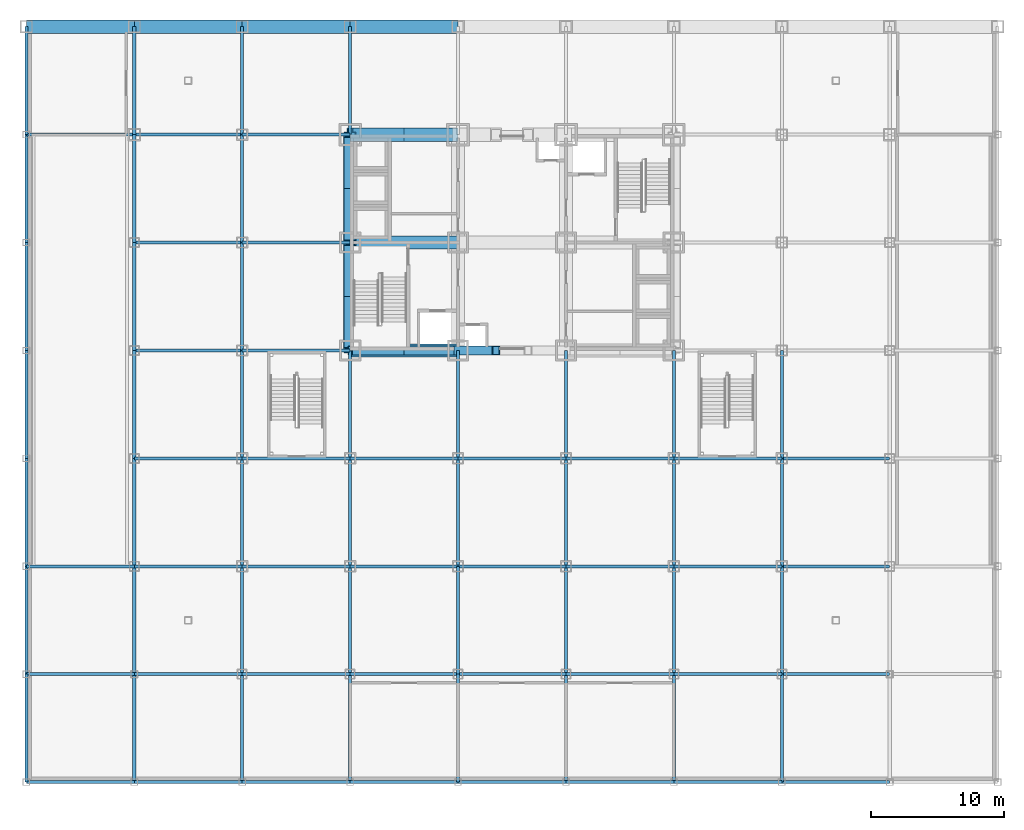
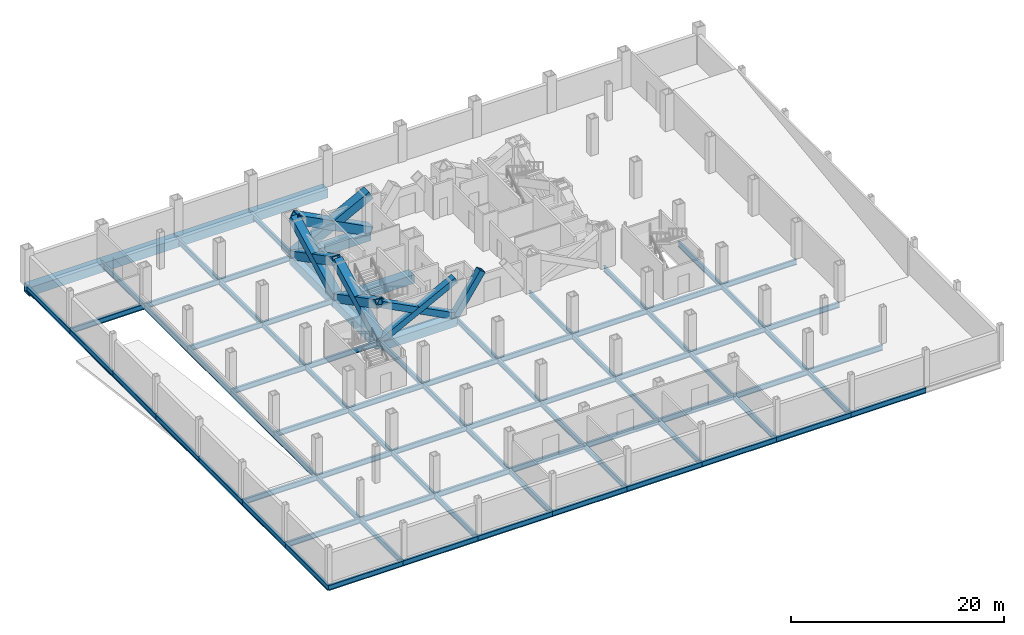
# One storey, part 9 of 14: 89 beams, 9 members.
"""IFC4 building model written with IfcOpenShell, lengths in metres."""

from ifc_helpers import new_model, si_unit, direction, frame, origin, origin_2d, place, context, subcontext, project, spatial, hollow_rectangle, i_section, extrude, material, material_profile, profile_set, type_object, element, save


model = new_model("IFC4")

# Units and contexts
model_context = context("Model", 3, precision=1e-05, world=origin(), true_north=direction((0.0, 1.0)))
body_context = subcontext(model_context, "Body", "Model", "MODEL_VIEW")
ifc_project = project(units=[si_unit("LENGTHUNIT", "METRE"), si_unit("AREAUNIT", "SQUARE_METRE"), si_unit("VOLUMEUNIT", "CUBIC_METRE"), si_unit("PLANEANGLEUNIT", "RADIAN"), si_unit("MASSUNIT", "GRAM", prefix="KILO")], contexts=[model_context])

# Site, building, storey
site_placement = place(None, origin())
site = spatial("IfcSite", under=ifc_project, at=site_placement, CompositionType="ELEMENT")
building_placement = place(site_placement, origin())
building = spatial("IfcBuilding", under=site, at=building_placement, Name="Kopane Lantern Tower", CompositionType="ELEMENT")
storey_placement = place(building_placement, frame((0.0, 0.0, -4.199951171875)))
storey = spatial("IfcBuildingStorey", under=building, at=storey_placement, Name="L-01", CompositionType="ELEMENT", Elevation=-4.199951171875)

# Members
ifc_material_1 = material(Name="Steel S355JR", Category="steel")
ifc_material_profile_1 = material_profile(ifc_material_1, hollow_rectangle(XDim=1.0, YDim=1.0, WallThickness=0.10009765625, at=origin_2d()), Name="BOX 1000x1000x100")
ifc_profile_set_1 = profile_set([ifc_material_profile_1], Name="Steel S355JR")
member_type_1 = type_object("IfcMemberType", Name="BRACE BOX 1000x1000x100", PredefinedType="BRACE", material=ifc_profile_set_1)
for number, where, z_axis, x_axis, name in (
    (1, (16.199951171875, 40.5, -0.25), (0.887758986163, 0.0, 0.460308573119), (0.0, 1.0, 0.0), "Core brace L-01"),
    (2, (24.300048828125, 40.5, -0.25), (-0.887758986163, 0.0, 0.460308573119), (0.0, -1.0, 0.0), "Core brace L-01"),
):
    element("IfcMember", number, at=place(storey_placement, frame(where, z_axis=z_axis, x_axis=x_axis)), inside=storey, type_object=member_type_1, Name=name, PredefinedType="BRACE", context=body_context, shape_type="SweptSolid", body=[
        extrude(hollow_rectangle(XDim=1.0, YDim=1.0, WallThickness=0.10009765625, at=origin_2d()), origin(), (0.0, 0.0, 1.0), 9.124267578125),
    ])
ifc_material_2 = material(Name="Steel S355JR", Category="steel")
ifc_material_profile_2 = material_profile(ifc_material_2, hollow_rectangle(XDim=0.699951171875, YDim=0.699951171875, WallThickness=0.06005859375, at=origin_2d()), Name="BOX 700x700x60")
ifc_profile_set_2 = profile_set([ifc_material_profile_2], Name="Steel S355JR")
member_type_2 = type_object("IfcMemberType", Name="BRACE BOX 700x700x60", PredefinedType="BRACE", material=ifc_profile_set_2)
for number, where, z_axis, x_axis, name in (
    (3, (16.199951171875, 24.300048828125, -0.25), (0.887758986163, 0.0, 0.460308573119), (0.0, 1.0, 0.0), "Core brace L-01"),
    (4, (24.300048828125, 24.300048828125, -0.25), (-0.887758986163, 0.0, 0.460308573119), (0.0, -1.0, 0.0), "Core brace L-01"),
):
    element("IfcMember", number, at=place(storey_placement, frame(where, z_axis=z_axis, x_axis=x_axis)), inside=storey, type_object=member_type_2, Name=name, PredefinedType="BRACE", context=body_context, shape_type="SweptSolid", body=[
        extrude(hollow_rectangle(XDim=0.699951171875, YDim=0.699951171875, WallThickness=0.06005859375, at=origin_2d()), origin(), (0.0, 0.0, 1.0), 9.124267578125),
    ])
member_placement = place(storey_placement, frame((24.300048828125, 24.300048828125, -0.25), z_axis=(0.561486126659, 0.0, 0.827486150682), x_axis=(0.0, 1.0, 0.0)))
element("IfcMember", 5, at=member_placement, inside=storey, type_object=member_type_2, Name="Core brace L-01", PredefinedType="BRACE", context=body_context, shape_type="SweptSolid", body=[
    extrude(hollow_rectangle(XDim=0.699951171875, YDim=0.699951171875, WallThickness=0.06005859375, at=origin_2d()), origin(), (0.0, 0.0, 1.0), 5.075439453125),
])
ifc_material_3 = material(Name="Steel S355JR", Category="steel")
ifc_material_profile_3 = material_profile(ifc_material_3, hollow_rectangle(XDim=0.89990234375, YDim=0.89990234375, WallThickness=0.090087890625, at=origin_2d()), Name="BOX 900x900x90")
ifc_profile_set_3 = profile_set([ifc_material_profile_3], Name="Steel S355JR")
member_type_3 = type_object("IfcMemberType", Name="BRACE BOX 900x900x90", PredefinedType="BRACE", material=ifc_profile_set_3)
for number, where, z_axis, x_axis, name in (
    (6, (16.199951171875, 24.300048828125, -0.25), (0.0, 0.887753316484, 0.460319507595), (-1.0, 0.0, 0.0), "Core brace L-01"),
    (7, (16.199951171875, 32.39990234375, -0.25), (0.0, -0.887753316484, 0.460319507595), (1.0, 0.0, 0.0), "Core brace L-01"),
):
    element("IfcMember", number, at=place(storey_placement, frame(where, z_axis=z_axis, x_axis=x_axis)), inside=storey, type_object=member_type_3, Name=name, PredefinedType="BRACE", context=body_context, shape_type="SweptSolid", body=[
        extrude(hollow_rectangle(XDim=0.89990234375, YDim=0.89990234375, WallThickness=0.090087890625, at=origin_2d()), origin(), (0.0, 0.0, 1.0), 9.1240234375),
    ])
for number, where, z_axis, x_axis, name in (
    (8, (16.199951171875, 32.39990234375, -0.25), (0.0, 0.887758986163, 0.460308573119), (-1.0, 0.0, 0.0), "Core brace L-01"),
    (9, (16.199951171875, 40.5, -0.25), (0.0, -0.887758986163, 0.460308573119), (1.0, 0.0, 0.0), "Core brace L-01"),
):
    element("IfcMember", number, at=place(storey_placement, frame(where, z_axis=z_axis, x_axis=x_axis)), inside=storey, type_object=member_type_3, Name=name, PredefinedType="BRACE", context=body_context, shape_type="SweptSolid", body=[
        extrude(hollow_rectangle(XDim=0.89990234375, YDim=0.89990234375, WallThickness=0.090087890625, at=origin_2d()), origin(), (0.0, 0.0, 1.0), 9.124267578125),
    ])

# Beams
ifc_material_4 = material(Name="Steel S355JR", Category="steel")
ifc_material_profile_4 = material_profile(ifc_material_4, hollow_rectangle(XDim=1.0, YDim=1.0, WallThickness=0.06005859375, at=origin_2d()), Name="BOX 1000x1000x60")
ifc_profile_set_4 = profile_set([ifc_material_profile_4], Name="Steel S355JR")
beam_type_1 = type_object("IfcBeamType", Name="CORE BEAM BOX 1000x1000x60", PredefinedType="BEAM", material=ifc_profile_set_4)
beam_1_placement = place(storey_placement, frame((16.199951171875, 32.39990234375, -0.75), z_axis=(1.0, 0.0, 0.0), x_axis=(0.0, 1.0, 0.0)))
element("IfcBeam", 10, at=beam_1_placement, inside=storey, type_object=beam_type_1, Name="Core Beam L-01", PredefinedType="BEAM", context=body_context, shape_type="SweptSolid", body=[
    extrude(hollow_rectangle(XDim=1.0, YDim=1.0, WallThickness=0.06005859375, at=origin_2d()), origin(), (0.0, 0.0, 1.0), 8.10009765625),
])
ifc_material_5 = material(Name="Steel S355JR", Category="steel")
ifc_material_profile_5 = material_profile(ifc_material_5, hollow_rectangle(XDim=1.0, YDim=1.0, WallThickness=0.06005859375, at=origin_2d()), Name="BOX 1000x1000x60")
ifc_profile_set_5 = profile_set([ifc_material_profile_5], Name="Steel S355JR")
beam_type_2 = type_object("IfcBeamType", Name="GIRDER BOX 1000x1000x60", PredefinedType="BEAM", material=ifc_profile_set_5)
for number, where, z_axis, x_axis, name in (
    (11, (-8.10009765625, 48.60009765625, -0.75), (1.0, 0.0, 0.0), (0.0, 1.0, 0.0), "Girder L-01"),
    (12, (0.0, 48.60009765625, -0.75), (1.0, 0.0, 0.0), (0.0, 1.0, 0.0), "Girder L-01"),
):
    element("IfcBeam", number, at=place(storey_placement, frame(where, z_axis=z_axis, x_axis=x_axis)), inside=storey, type_object=beam_type_2, Name=name, PredefinedType="BEAM", context=body_context, shape_type="SweptSolid", body=[
        extrude(hollow_rectangle(XDim=1.0, YDim=1.0, WallThickness=0.06005859375, at=origin_2d()), origin(), (0.0, 0.0, 1.0), 8.10009765625),
    ])
for number, where, z_axis, x_axis, name in (
    (13, (8.10009765625, 48.60009765625, -0.75), (1.0, 0.0, 0.0), (0.0, 1.0, 0.0), "Girder L-01"),
    (14, (16.199951171875, 24.300048828125, -0.75), (0.0, 1.0, 0.0), (-1.0, 0.0, 0.0), "Girder L-01"),
):
    element("IfcBeam", number, at=place(storey_placement, frame(where, z_axis=z_axis, x_axis=x_axis)), inside=storey, type_object=beam_type_2, Name=name, PredefinedType="BEAM", context=body_context, shape_type="SweptSolid", body=[
        extrude(hollow_rectangle(XDim=1.0, YDim=1.0, WallThickness=0.06005859375, at=origin_2d()), origin(), (0.0, 0.0, 1.0), 8.099853515625),
    ])
for number, where, z_axis, x_axis, name in (
    (15, (16.199951171875, 24.300048828125, -0.75), (1.0, 0.0, 0.0), (0.0, 1.0, 0.0), "Girder L-01"),
    (16, (16.199951171875, 32.39990234375, -0.75), (0.0, 1.0, 0.0), (-1.0, 0.0, 0.0), "Girder L-01"),
    (17, (16.199951171875, 40.5, -0.75), (1.0, 0.0, 0.0), (0.0, 1.0, 0.0), "Girder L-01"),
    (18, (16.199951171875, 48.60009765625, -0.75), (1.0, 0.0, 0.0), (0.0, 1.0, 0.0), "Girder L-01"),
):
    element("IfcBeam", number, at=place(storey_placement, frame(where, z_axis=z_axis, x_axis=x_axis)), inside=storey, type_object=beam_type_2, Name=name, PredefinedType="BEAM", context=body_context, shape_type="SweptSolid", body=[
        extrude(hollow_rectangle(XDim=1.0, YDim=1.0, WallThickness=0.06005859375, at=origin_2d()), origin(), (0.0, 0.0, 1.0), 8.10009765625),
    ])
ifc_material_6 = material(Name="Steel S355JR", Category="steel")
ifc_material_profile_6 = material_profile(ifc_material_6, i_section(OverallWidth=0.22900390625, OverallDepth=0.6123046875, WebThickness=0.011962890625, FlangeThickness=0.01953125, FilletRadius=0.0126953125, at=origin_2d()), Name="UB 610x229x125")
ifc_profile_set_6 = profile_set([ifc_material_profile_6], Name="Steel S355JR")
beam_type_3 = type_object("IfcBeamType", Name="GIRDER UB 610x229x125", PredefinedType="BEAM", material=ifc_profile_set_6)
for number, where, z_axis, x_axis, name in (
    (19, (-8.10009765625, -8.10009765625, -0.55615234375), (0.0, 1.0, 0.0), (-1.0, 0.0, 0.0), "Girder L-01"),
    (20, (-8.10009765625, -8.10009765625, -0.55615234375), (1.0, 0.0, 0.0), (0.0, 1.0, 0.0), "Girder L-01"),
    (21, (-8.10009765625, 0.0, -0.55615234375), (0.0, 1.0, 0.0), (-1.0, 0.0, 0.0), "Girder L-01"),
    (22, (-8.10009765625, 0.0, -0.55615234375), (1.0, 0.0, 0.0), (0.0, 1.0, 0.0), "Girder L-01"),
):
    element("IfcBeam", number, at=place(storey_placement, frame(where, z_axis=z_axis, x_axis=x_axis)), inside=storey, type_object=beam_type_3, Name=name, PredefinedType="BEAM", context=body_context, shape_type="SweptSolid", body=[
        extrude(i_section(OverallWidth=0.22900390625, OverallDepth=0.6123046875, WebThickness=0.011962890625, FlangeThickness=0.01953125, FilletRadius=0.0126953125, at=origin_2d()), origin(), (0.0, 0.0, 1.0), 8.10009765625),
    ])
beam_2_placement = place(storey_placement, frame((-8.10009765625, 8.10009765625, -0.55615234375), z_axis=(0.0, 1.0, 0.0), x_axis=(-1.0, 0.0, 0.0)))
element("IfcBeam", 23, at=beam_2_placement, inside=storey, type_object=beam_type_3, Name="Girder L-01", PredefinedType="BEAM", context=body_context, shape_type="SweptSolid", body=[
    extrude(i_section(OverallWidth=0.22900390625, OverallDepth=0.6123046875, WebThickness=0.011962890625, FlangeThickness=0.01953125, FilletRadius=0.0126953125, at=origin_2d()), origin(), (0.0, 0.0, 1.0), 8.099853515625),
])
for number, where, z_axis, x_axis, name in (
    (24, (-8.10009765625, 8.10009765625, -0.55615234375), (1.0, 0.0, 0.0), (0.0, 1.0, 0.0), "Girder L-01"),
    (25, (-8.10009765625, 16.199951171875, -0.55615234375), (0.0, 1.0, 0.0), (-1.0, 0.0, 0.0), "Girder L-01"),
):
    element("IfcBeam", number, at=place(storey_placement, frame(where, z_axis=z_axis, x_axis=x_axis)), inside=storey, type_object=beam_type_3, Name=name, PredefinedType="BEAM", context=body_context, shape_type="SweptSolid", body=[
        extrude(i_section(OverallWidth=0.22900390625, OverallDepth=0.6123046875, WebThickness=0.011962890625, FlangeThickness=0.01953125, FilletRadius=0.0126953125, at=origin_2d()), origin(), (0.0, 0.0, 1.0), 8.10009765625),
    ])
beam_3_placement = place(storey_placement, frame((-8.10009765625, 24.300048828125, -0.55615234375), z_axis=(0.0, 1.0, 0.0), x_axis=(-1.0, 0.0, 0.0)))
element("IfcBeam", 26, at=beam_3_placement, inside=storey, type_object=beam_type_3, Name="Girder L-01", PredefinedType="BEAM", context=body_context, shape_type="SweptSolid", body=[
    extrude(i_section(OverallWidth=0.22900390625, OverallDepth=0.6123046875, WebThickness=0.011962890625, FlangeThickness=0.01953125, FilletRadius=0.0126953125, at=origin_2d()), origin(), (0.0, 0.0, 1.0), 8.099853515625),
])
for number, where, z_axis, x_axis, name in (
    (27, (-8.10009765625, 32.39990234375, -0.55615234375), (0.0, 1.0, 0.0), (-1.0, 0.0, 0.0), "Girder L-01"),
    (28, (-8.10009765625, 40.5, -0.55615234375), (0.0, 1.0, 0.0), (-1.0, 0.0, 0.0), "Girder L-01"),
    (29, (-8.10009765625, 40.5, -0.55615234375), (1.0, 0.0, 0.0), (0.0, 1.0, 0.0), "Girder L-01"),
    (30, (0.0, -8.10009765625, -0.55615234375), (0.0, 1.0, 0.0), (-1.0, 0.0, 0.0), "Girder L-01"),
    (31, (0.0, -8.10009765625, -0.55615234375), (1.0, 0.0, 0.0), (0.0, 1.0, 0.0), "Girder L-01"),
    (32, (0.0, 0.0, -0.55615234375), (0.0, 1.0, 0.0), (-1.0, 0.0, 0.0), "Girder L-01"),
    (33, (0.0, 0.0, -0.55615234375), (1.0, 0.0, 0.0), (0.0, 1.0, 0.0), "Girder L-01"),
):
    element("IfcBeam", number, at=place(storey_placement, frame(where, z_axis=z_axis, x_axis=x_axis)), inside=storey, type_object=beam_type_3, Name=name, PredefinedType="BEAM", context=body_context, shape_type="SweptSolid", body=[
        extrude(i_section(OverallWidth=0.22900390625, OverallDepth=0.6123046875, WebThickness=0.011962890625, FlangeThickness=0.01953125, FilletRadius=0.0126953125, at=origin_2d()), origin(), (0.0, 0.0, 1.0), 8.10009765625),
    ])
beam_4_placement = place(storey_placement, frame((0.0, 8.10009765625, -0.55615234375), z_axis=(0.0, 1.0, 0.0), x_axis=(-1.0, 0.0, 0.0)))
element("IfcBeam", 34, at=beam_4_placement, inside=storey, type_object=beam_type_3, Name="Girder L-01", PredefinedType="BEAM", context=body_context, shape_type="SweptSolid", body=[
    extrude(i_section(OverallWidth=0.22900390625, OverallDepth=0.6123046875, WebThickness=0.011962890625, FlangeThickness=0.01953125, FilletRadius=0.0126953125, at=origin_2d()), origin(), (0.0, 0.0, 1.0), 8.099853515625),
])
for number, where, z_axis, x_axis, name in (
    (35, (0.0, 8.10009765625, -0.55615234375), (1.0, 0.0, 0.0), (0.0, 1.0, 0.0), "Girder L-01"),
    (36, (0.0, 16.199951171875, -0.55615234375), (0.0, 1.0, 0.0), (-1.0, 0.0, 0.0), "Girder L-01"),
    (37, (0.0, 16.199951171875, -0.55615234375), (1.0, 0.0, 0.0), (0.0, 1.0, 0.0), "Girder L-01"),
):
    element("IfcBeam", number, at=place(storey_placement, frame(where, z_axis=z_axis, x_axis=x_axis)), inside=storey, type_object=beam_type_3, Name=name, PredefinedType="BEAM", context=body_context, shape_type="SweptSolid", body=[
        extrude(i_section(OverallWidth=0.22900390625, OverallDepth=0.6123046875, WebThickness=0.011962890625, FlangeThickness=0.01953125, FilletRadius=0.0126953125, at=origin_2d()), origin(), (0.0, 0.0, 1.0), 8.10009765625),
    ])
beam_5_placement = place(storey_placement, frame((0.0, 24.300048828125, -0.55615234375), z_axis=(0.0, 1.0, 0.0), x_axis=(-1.0, 0.0, 0.0)))
element("IfcBeam", 38, at=beam_5_placement, inside=storey, type_object=beam_type_3, Name="Girder L-01", PredefinedType="BEAM", context=body_context, shape_type="SweptSolid", body=[
    extrude(i_section(OverallWidth=0.22900390625, OverallDepth=0.6123046875, WebThickness=0.011962890625, FlangeThickness=0.01953125, FilletRadius=0.0126953125, at=origin_2d()), origin(), (0.0, 0.0, 1.0), 8.099853515625),
])
for number, where, z_axis, x_axis, name in (
    (39, (0.0, 24.300048828125, -0.55615234375), (1.0, 0.0, 0.0), (0.0, 1.0, 0.0), "Girder L-01"),
    (40, (0.0, 32.39990234375, -0.55615234375), (0.0, 1.0, 0.0), (-1.0, 0.0, 0.0), "Girder L-01"),
    (41, (0.0, 32.39990234375, -0.55615234375), (1.0, 0.0, 0.0), (0.0, 1.0, 0.0), "Girder L-01"),
    (42, (0.0, 40.5, -0.55615234375), (0.0, 1.0, 0.0), (-1.0, 0.0, 0.0), "Girder L-01"),
    (43, (0.0, 40.5, -0.55615234375), (1.0, 0.0, 0.0), (0.0, 1.0, 0.0), "Girder L-01"),
    (44, (8.10009765625, -8.10009765625, -0.55615234375), (0.0, 1.0, 0.0), (-1.0, 0.0, 0.0), "Girder L-01"),
):
    element("IfcBeam", number, at=place(storey_placement, frame(where, z_axis=z_axis, x_axis=x_axis)), inside=storey, type_object=beam_type_3, Name=name, PredefinedType="BEAM", context=body_context, shape_type="SweptSolid", body=[
        extrude(i_section(OverallWidth=0.22900390625, OverallDepth=0.6123046875, WebThickness=0.011962890625, FlangeThickness=0.01953125, FilletRadius=0.0126953125, at=origin_2d()), origin(), (0.0, 0.0, 1.0), 8.10009765625),
    ])
beam_6_placement = place(storey_placement, frame((8.10009765625, -8.10009765625, -0.55615234375), z_axis=(1.0, 0.0, 0.0), x_axis=(0.0, 1.0, 0.0)))
element("IfcBeam", 45, at=beam_6_placement, inside=storey, type_object=beam_type_3, Name="Girder L-01", PredefinedType="BEAM", context=body_context, shape_type="SweptSolid", body=[
    extrude(i_section(OverallWidth=0.22900390625, OverallDepth=0.6123046875, WebThickness=0.011962890625, FlangeThickness=0.01953125, FilletRadius=0.0126953125, at=origin_2d()), origin(), (0.0, 0.0, 1.0), 8.099853515625),
])
beam_7_placement = place(storey_placement, frame((8.10009765625, 0.0, -0.55615234375), z_axis=(0.0, 1.0, 0.0), x_axis=(-1.0, 0.0, 0.0)))
element("IfcBeam", 46, at=beam_7_placement, inside=storey, type_object=beam_type_3, Name="Girder L-01", PredefinedType="BEAM", context=body_context, shape_type="SweptSolid", body=[
    extrude(i_section(OverallWidth=0.22900390625, OverallDepth=0.6123046875, WebThickness=0.011962890625, FlangeThickness=0.01953125, FilletRadius=0.0126953125, at=origin_2d()), origin(), (0.0, 0.0, 1.0), 8.10009765625),
])
for number, where, z_axis, x_axis, name in (
    (47, (8.10009765625, 0.0, -0.55615234375), (1.0, 0.0, 0.0), (0.0, 1.0, 0.0), "Girder L-01"),
    (48, (8.10009765625, 8.10009765625, -0.55615234375), (0.0, 1.0, 0.0), (-1.0, 0.0, 0.0), "Girder L-01"),
    (49, (8.10009765625, 8.10009765625, -0.55615234375), (1.0, 0.0, 0.0), (0.0, 1.0, 0.0), "Girder L-01"),
):
    element("IfcBeam", number, at=place(storey_placement, frame(where, z_axis=z_axis, x_axis=x_axis)), inside=storey, type_object=beam_type_3, Name=name, PredefinedType="BEAM", context=body_context, shape_type="SweptSolid", body=[
        extrude(i_section(OverallWidth=0.22900390625, OverallDepth=0.6123046875, WebThickness=0.011962890625, FlangeThickness=0.01953125, FilletRadius=0.0126953125, at=origin_2d()), origin(), (0.0, 0.0, 1.0), 8.099853515625),
    ])
beam_8_placement = place(storey_placement, frame((8.10009765625, 16.199951171875, -0.55615234375), z_axis=(0.0, 1.0, 0.0), x_axis=(-1.0, 0.0, 0.0)))
element("IfcBeam", 50, at=beam_8_placement, inside=storey, type_object=beam_type_3, Name="Girder L-01", PredefinedType="BEAM", context=body_context, shape_type="SweptSolid", body=[
    extrude(i_section(OverallWidth=0.22900390625, OverallDepth=0.6123046875, WebThickness=0.011962890625, FlangeThickness=0.01953125, FilletRadius=0.0126953125, at=origin_2d()), origin(), (0.0, 0.0, 1.0), 8.10009765625),
])
for number, where, z_axis, x_axis, name in (
    (51, (8.10009765625, 16.199951171875, -0.55615234375), (1.0, 0.0, 0.0), (0.0, 1.0, 0.0), "Girder L-01"),
    (52, (8.10009765625, 24.300048828125, -0.55615234375), (0.0, 1.0, 0.0), (-1.0, 0.0, 0.0), "Girder L-01"),
    (53, (8.10009765625, 24.300048828125, -0.55615234375), (1.0, 0.0, 0.0), (0.0, 1.0, 0.0), "Girder L-01"),
):
    element("IfcBeam", number, at=place(storey_placement, frame(where, z_axis=z_axis, x_axis=x_axis)), inside=storey, type_object=beam_type_3, Name=name, PredefinedType="BEAM", context=body_context, shape_type="SweptSolid", body=[
        extrude(i_section(OverallWidth=0.22900390625, OverallDepth=0.6123046875, WebThickness=0.011962890625, FlangeThickness=0.01953125, FilletRadius=0.0126953125, at=origin_2d()), origin(), (0.0, 0.0, 1.0), 8.099853515625),
    ])
beam_9_placement = place(storey_placement, frame((8.10009765625, 32.39990234375, -0.55615234375), z_axis=(0.0, 1.0, 0.0), x_axis=(-1.0, 0.0, 0.0)))
element("IfcBeam", 54, at=beam_9_placement, inside=storey, type_object=beam_type_3, Name="Girder L-01", PredefinedType="BEAM", context=body_context, shape_type="SweptSolid", body=[
    extrude(i_section(OverallWidth=0.22900390625, OverallDepth=0.6123046875, WebThickness=0.011962890625, FlangeThickness=0.01953125, FilletRadius=0.0126953125, at=origin_2d()), origin(), (0.0, 0.0, 1.0), 8.10009765625),
])
beam_10_placement = place(storey_placement, frame((8.10009765625, 32.39990234375, -0.55615234375), z_axis=(1.0, 0.0, 0.0), x_axis=(0.0, 1.0, 0.0)))
element("IfcBeam", 55, at=beam_10_placement, inside=storey, type_object=beam_type_3, Name="Girder L-01", PredefinedType="BEAM", context=body_context, shape_type="SweptSolid", body=[
    extrude(i_section(OverallWidth=0.22900390625, OverallDepth=0.6123046875, WebThickness=0.011962890625, FlangeThickness=0.01953125, FilletRadius=0.0126953125, at=origin_2d()), origin(), (0.0, 0.0, 1.0), 8.099853515625),
])
beam_11_placement = place(storey_placement, frame((8.10009765625, 40.5, -0.55615234375), z_axis=(0.0, 1.0, 0.0), x_axis=(-1.0, 0.0, 0.0)))
element("IfcBeam", 56, at=beam_11_placement, inside=storey, type_object=beam_type_3, Name="Girder L-01", PredefinedType="BEAM", context=body_context, shape_type="SweptSolid", body=[
    extrude(i_section(OverallWidth=0.22900390625, OverallDepth=0.6123046875, WebThickness=0.011962890625, FlangeThickness=0.01953125, FilletRadius=0.0126953125, at=origin_2d()), origin(), (0.0, 0.0, 1.0), 8.10009765625),
])
beam_12_placement = place(storey_placement, frame((8.10009765625, 40.5, -0.55615234375), z_axis=(1.0, 0.0, 0.0), x_axis=(0.0, 1.0, 0.0)))
element("IfcBeam", 57, at=beam_12_placement, inside=storey, type_object=beam_type_3, Name="Girder L-01", PredefinedType="BEAM", context=body_context, shape_type="SweptSolid", body=[
    extrude(i_section(OverallWidth=0.22900390625, OverallDepth=0.6123046875, WebThickness=0.011962890625, FlangeThickness=0.01953125, FilletRadius=0.0126953125, at=origin_2d()), origin(), (0.0, 0.0, 1.0), 8.099853515625),
])
for number, where, z_axis, x_axis, name in (
    (58, (16.199951171875, -8.10009765625, -0.55615234375), (0.0, 1.0, 0.0), (-1.0, 0.0, 0.0), "Girder L-01"),
    (59, (16.199951171875, -8.10009765625, -0.55615234375), (1.0, 0.0, 0.0), (0.0, 1.0, 0.0), "Girder L-01"),
    (60, (16.199951171875, 0.0, -0.55615234375), (0.0, 1.0, 0.0), (-1.0, 0.0, 0.0), "Girder L-01"),
    (61, (16.199951171875, 0.0, -0.55615234375), (1.0, 0.0, 0.0), (0.0, 1.0, 0.0), "Girder L-01"),
):
    element("IfcBeam", number, at=place(storey_placement, frame(where, z_axis=z_axis, x_axis=x_axis)), inside=storey, type_object=beam_type_3, Name=name, PredefinedType="BEAM", context=body_context, shape_type="SweptSolid", body=[
        extrude(i_section(OverallWidth=0.22900390625, OverallDepth=0.6123046875, WebThickness=0.011962890625, FlangeThickness=0.01953125, FilletRadius=0.0126953125, at=origin_2d()), origin(), (0.0, 0.0, 1.0), 8.10009765625),
    ])
beam_13_placement = place(storey_placement, frame((16.199951171875, 8.10009765625, -0.55615234375), z_axis=(0.0, 1.0, 0.0), x_axis=(-1.0, 0.0, 0.0)))
element("IfcBeam", 62, at=beam_13_placement, inside=storey, type_object=beam_type_3, Name="Girder L-01", PredefinedType="BEAM", context=body_context, shape_type="SweptSolid", body=[
    extrude(i_section(OverallWidth=0.22900390625, OverallDepth=0.6123046875, WebThickness=0.011962890625, FlangeThickness=0.01953125, FilletRadius=0.0126953125, at=origin_2d()), origin(), (0.0, 0.0, 1.0), 8.099853515625),
])
for number, where, z_axis, x_axis, name in (
    (63, (16.199951171875, 8.10009765625, -0.55615234375), (1.0, 0.0, 0.0), (0.0, 1.0, 0.0), "Girder L-01"),
    (64, (16.199951171875, 16.199951171875, -0.55615234375), (0.0, 1.0, 0.0), (-1.0, 0.0, 0.0), "Girder L-01"),
    (65, (16.199951171875, 16.199951171875, -0.55615234375), (1.0, 0.0, 0.0), (0.0, 1.0, 0.0), "Girder L-01"),
    (66, (16.199951171875, 40.5, -0.55615234375), (0.0, 1.0, 0.0), (-1.0, 0.0, 0.0), "Girder L-01"),
    (67, (24.300048828125, -8.10009765625, -0.55615234375), (0.0, 1.0, 0.0), (-1.0, 0.0, 0.0), "Girder L-01"),
):
    element("IfcBeam", number, at=place(storey_placement, frame(where, z_axis=z_axis, x_axis=x_axis)), inside=storey, type_object=beam_type_3, Name=name, PredefinedType="BEAM", context=body_context, shape_type="SweptSolid", body=[
        extrude(i_section(OverallWidth=0.22900390625, OverallDepth=0.6123046875, WebThickness=0.011962890625, FlangeThickness=0.01953125, FilletRadius=0.0126953125, at=origin_2d()), origin(), (0.0, 0.0, 1.0), 8.10009765625),
    ])
beam_14_placement = place(storey_placement, frame((24.300048828125, -8.10009765625, -0.55615234375), z_axis=(1.0, 0.0, 0.0), x_axis=(0.0, 1.0, 0.0)))
element("IfcBeam", 68, at=beam_14_placement, inside=storey, type_object=beam_type_3, Name="Girder L-01", PredefinedType="BEAM", context=body_context, shape_type="SweptSolid", body=[
    extrude(i_section(OverallWidth=0.22900390625, OverallDepth=0.6123046875, WebThickness=0.011962890625, FlangeThickness=0.01953125, FilletRadius=0.0126953125, at=origin_2d()), origin(), (0.0, 0.0, 1.0), 8.099853515625),
])
beam_15_placement = place(storey_placement, frame((24.300048828125, 0.0, -0.55615234375), z_axis=(0.0, 1.0, 0.0), x_axis=(-1.0, 0.0, 0.0)))
element("IfcBeam", 69, at=beam_15_placement, inside=storey, type_object=beam_type_3, Name="Girder L-01", PredefinedType="BEAM", context=body_context, shape_type="SweptSolid", body=[
    extrude(i_section(OverallWidth=0.22900390625, OverallDepth=0.6123046875, WebThickness=0.011962890625, FlangeThickness=0.01953125, FilletRadius=0.0126953125, at=origin_2d()), origin(), (0.0, 0.0, 1.0), 8.10009765625),
])
for number, where, z_axis, x_axis, name in (
    (70, (24.300048828125, 0.0, -0.55615234375), (1.0, 0.0, 0.0), (0.0, 1.0, 0.0), "Girder L-01"),
    (71, (24.300048828125, 8.10009765625, -0.55615234375), (0.0, 1.0, 0.0), (-1.0, 0.0, 0.0), "Girder L-01"),
    (72, (24.300048828125, 8.10009765625, -0.55615234375), (1.0, 0.0, 0.0), (0.0, 1.0, 0.0), "Girder L-01"),
):
    element("IfcBeam", number, at=place(storey_placement, frame(where, z_axis=z_axis, x_axis=x_axis)), inside=storey, type_object=beam_type_3, Name=name, PredefinedType="BEAM", context=body_context, shape_type="SweptSolid", body=[
        extrude(i_section(OverallWidth=0.22900390625, OverallDepth=0.6123046875, WebThickness=0.011962890625, FlangeThickness=0.01953125, FilletRadius=0.0126953125, at=origin_2d()), origin(), (0.0, 0.0, 1.0), 8.099853515625),
    ])
beam_16_placement = place(storey_placement, frame((24.300048828125, 16.199951171875, -0.55615234375), z_axis=(0.0, 1.0, 0.0), x_axis=(-1.0, 0.0, 0.0)))
element("IfcBeam", 73, at=beam_16_placement, inside=storey, type_object=beam_type_3, Name="Girder L-01", PredefinedType="BEAM", context=body_context, shape_type="SweptSolid", body=[
    extrude(i_section(OverallWidth=0.22900390625, OverallDepth=0.6123046875, WebThickness=0.011962890625, FlangeThickness=0.01953125, FilletRadius=0.0126953125, at=origin_2d()), origin(), (0.0, 0.0, 1.0), 8.10009765625),
])
beam_17_placement = place(storey_placement, frame((24.300048828125, 16.199951171875, -0.55615234375), z_axis=(1.0, 0.0, 0.0), x_axis=(0.0, 1.0, 0.0)))
element("IfcBeam", 74, at=beam_17_placement, inside=storey, type_object=beam_type_3, Name="Girder L-01", PredefinedType="BEAM", context=body_context, shape_type="SweptSolid", body=[
    extrude(i_section(OverallWidth=0.22900390625, OverallDepth=0.6123046875, WebThickness=0.011962890625, FlangeThickness=0.01953125, FilletRadius=0.0126953125, at=origin_2d()), origin(), (0.0, 0.0, 1.0), 8.099853515625),
])
for number, where, z_axis, x_axis, name in (
    (75, (32.39990234375, -8.10009765625, -0.55615234375), (0.0, 1.0, 0.0), (-1.0, 0.0, 0.0), "Girder L-01"),
    (76, (32.39990234375, -8.10009765625, -0.55615234375), (1.0, 0.0, 0.0), (0.0, 1.0, 0.0), "Girder L-01"),
    (77, (32.39990234375, 0.0, -0.55615234375), (0.0, 1.0, 0.0), (-1.0, 0.0, 0.0), "Girder L-01"),
    (78, (32.39990234375, 0.0, -0.55615234375), (1.0, 0.0, 0.0), (0.0, 1.0, 0.0), "Girder L-01"),
):
    element("IfcBeam", number, at=place(storey_placement, frame(where, z_axis=z_axis, x_axis=x_axis)), inside=storey, type_object=beam_type_3, Name=name, PredefinedType="BEAM", context=body_context, shape_type="SweptSolid", body=[
        extrude(i_section(OverallWidth=0.22900390625, OverallDepth=0.6123046875, WebThickness=0.011962890625, FlangeThickness=0.01953125, FilletRadius=0.0126953125, at=origin_2d()), origin(), (0.0, 0.0, 1.0), 8.10009765625),
    ])
beam_18_placement = place(storey_placement, frame((32.39990234375, 8.10009765625, -0.55615234375), z_axis=(0.0, 1.0, 0.0), x_axis=(-1.0, 0.0, 0.0)))
element("IfcBeam", 79, at=beam_18_placement, inside=storey, type_object=beam_type_3, Name="Girder L-01", PredefinedType="BEAM", context=body_context, shape_type="SweptSolid", body=[
    extrude(i_section(OverallWidth=0.22900390625, OverallDepth=0.6123046875, WebThickness=0.011962890625, FlangeThickness=0.01953125, FilletRadius=0.0126953125, at=origin_2d()), origin(), (0.0, 0.0, 1.0), 8.099853515625),
])
for number, where, z_axis, x_axis, name in (
    (80, (32.39990234375, 8.10009765625, -0.55615234375), (1.0, 0.0, 0.0), (0.0, 1.0, 0.0), "Girder L-01"),
    (81, (32.39990234375, 16.199951171875, -0.55615234375), (0.0, 1.0, 0.0), (-1.0, 0.0, 0.0), "Girder L-01"),
    (82, (32.39990234375, 16.199951171875, -0.55615234375), (1.0, 0.0, 0.0), (0.0, 1.0, 0.0), "Girder L-01"),
    (83, (40.5, -8.10009765625, -0.55615234375), (0.0, 1.0, 0.0), (-1.0, 0.0, 0.0), "Girder L-01"),
    (84, (40.5, -8.10009765625, -0.55615234375), (1.0, 0.0, 0.0), (0.0, 1.0, 0.0), "Girder L-01"),
    (85, (40.5, 0.0, -0.55615234375), (0.0, 1.0, 0.0), (-1.0, 0.0, 0.0), "Girder L-01"),
    (86, (40.5, 0.0, -0.55615234375), (1.0, 0.0, 0.0), (0.0, 1.0, 0.0), "Girder L-01"),
):
    element("IfcBeam", number, at=place(storey_placement, frame(where, z_axis=z_axis, x_axis=x_axis)), inside=storey, type_object=beam_type_3, Name=name, PredefinedType="BEAM", context=body_context, shape_type="SweptSolid", body=[
        extrude(i_section(OverallWidth=0.22900390625, OverallDepth=0.6123046875, WebThickness=0.011962890625, FlangeThickness=0.01953125, FilletRadius=0.0126953125, at=origin_2d()), origin(), (0.0, 0.0, 1.0), 8.10009765625),
    ])
beam_19_placement = place(storey_placement, frame((40.5, 8.10009765625, -0.55615234375), z_axis=(0.0, 1.0, 0.0), x_axis=(-1.0, 0.0, 0.0)))
element("IfcBeam", 87, at=beam_19_placement, inside=storey, type_object=beam_type_3, Name="Girder L-01", PredefinedType="BEAM", context=body_context, shape_type="SweptSolid", body=[
    extrude(i_section(OverallWidth=0.22900390625, OverallDepth=0.6123046875, WebThickness=0.011962890625, FlangeThickness=0.01953125, FilletRadius=0.0126953125, at=origin_2d()), origin(), (0.0, 0.0, 1.0), 8.099853515625),
])
for number, where, z_axis, x_axis, name in (
    (88, (40.5, 8.10009765625, -0.55615234375), (1.0, 0.0, 0.0), (0.0, 1.0, 0.0), "Girder L-01"),
    (89, (40.5, 16.199951171875, -0.55615234375), (0.0, 1.0, 0.0), (-1.0, 0.0, 0.0), "Girder L-01"),
    (90, (40.5, 16.199951171875, -0.55615234375), (1.0, 0.0, 0.0), (0.0, 1.0, 0.0), "Girder L-01"),
    (91, (48.60009765625, -8.10009765625, -0.55615234375), (0.0, 1.0, 0.0), (-1.0, 0.0, 0.0), "Girder L-01"),
):
    element("IfcBeam", number, at=place(storey_placement, frame(where, z_axis=z_axis, x_axis=x_axis)), inside=storey, type_object=beam_type_3, Name=name, PredefinedType="BEAM", context=body_context, shape_type="SweptSolid", body=[
        extrude(i_section(OverallWidth=0.22900390625, OverallDepth=0.6123046875, WebThickness=0.011962890625, FlangeThickness=0.01953125, FilletRadius=0.0126953125, at=origin_2d()), origin(), (0.0, 0.0, 1.0), 8.10009765625),
    ])
beam_20_placement = place(storey_placement, frame((48.60009765625, -8.10009765625, -0.55615234375), z_axis=(1.0, 0.0, 0.0), x_axis=(0.0, 1.0, 0.0)))
element("IfcBeam", 92, at=beam_20_placement, inside=storey, type_object=beam_type_3, Name="Girder L-01", PredefinedType="BEAM", context=body_context, shape_type="SweptSolid", body=[
    extrude(i_section(OverallWidth=0.22900390625, OverallDepth=0.6123046875, WebThickness=0.011962890625, FlangeThickness=0.01953125, FilletRadius=0.0126953125, at=origin_2d()), origin(), (0.0, 0.0, 1.0), 8.099853515625),
])
beam_21_placement = place(storey_placement, frame((48.60009765625, 0.0, -0.55615234375), z_axis=(0.0, 1.0, 0.0), x_axis=(-1.0, 0.0, 0.0)))
element("IfcBeam", 93, at=beam_21_placement, inside=storey, type_object=beam_type_3, Name="Girder L-01", PredefinedType="BEAM", context=body_context, shape_type="SweptSolid", body=[
    extrude(i_section(OverallWidth=0.22900390625, OverallDepth=0.6123046875, WebThickness=0.011962890625, FlangeThickness=0.01953125, FilletRadius=0.0126953125, at=origin_2d()), origin(), (0.0, 0.0, 1.0), 8.10009765625),
])
for number, where, z_axis, x_axis, name in (
    (94, (48.60009765625, 0.0, -0.55615234375), (1.0, 0.0, 0.0), (0.0, 1.0, 0.0), "Girder L-01"),
    (95, (48.60009765625, 8.10009765625, -0.55615234375), (0.0, 1.0, 0.0), (-1.0, 0.0, 0.0), "Girder L-01"),
    (96, (48.60009765625, 8.10009765625, -0.55615234375), (1.0, 0.0, 0.0), (0.0, 1.0, 0.0), "Girder L-01"),
):
    element("IfcBeam", number, at=place(storey_placement, frame(where, z_axis=z_axis, x_axis=x_axis)), inside=storey, type_object=beam_type_3, Name=name, PredefinedType="BEAM", context=body_context, shape_type="SweptSolid", body=[
        extrude(i_section(OverallWidth=0.22900390625, OverallDepth=0.6123046875, WebThickness=0.011962890625, FlangeThickness=0.01953125, FilletRadius=0.0126953125, at=origin_2d()), origin(), (0.0, 0.0, 1.0), 8.099853515625),
    ])
beam_22_placement = place(storey_placement, frame((48.60009765625, 16.199951171875, -0.55615234375), z_axis=(0.0, 1.0, 0.0), x_axis=(-1.0, 0.0, 0.0)))
element("IfcBeam", 97, at=beam_22_placement, inside=storey, type_object=beam_type_3, Name="Girder L-01", PredefinedType="BEAM", context=body_context, shape_type="SweptSolid", body=[
    extrude(i_section(OverallWidth=0.22900390625, OverallDepth=0.6123046875, WebThickness=0.011962890625, FlangeThickness=0.01953125, FilletRadius=0.0126953125, at=origin_2d()), origin(), (0.0, 0.0, 1.0), 8.10009765625),
])
beam_23_placement = place(storey_placement, frame((48.60009765625, 16.199951171875, -0.55615234375), z_axis=(1.0, 0.0, 0.0), x_axis=(0.0, 1.0, 0.0)))
element("IfcBeam", 98, at=beam_23_placement, inside=storey, type_object=beam_type_3, Name="Girder L-01", PredefinedType="BEAM", context=body_context, shape_type="SweptSolid", body=[
    extrude(i_section(OverallWidth=0.22900390625, OverallDepth=0.6123046875, WebThickness=0.011962890625, FlangeThickness=0.01953125, FilletRadius=0.0126953125, at=origin_2d()), origin(), (0.0, 0.0, 1.0), 8.099853515625),
])

save(model, "model.ifc")
